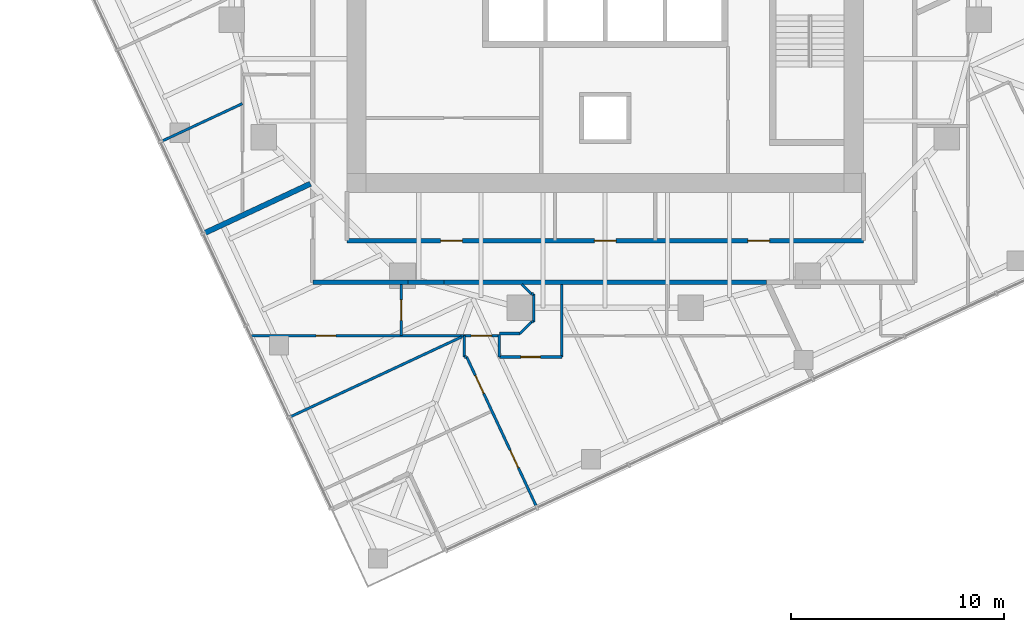
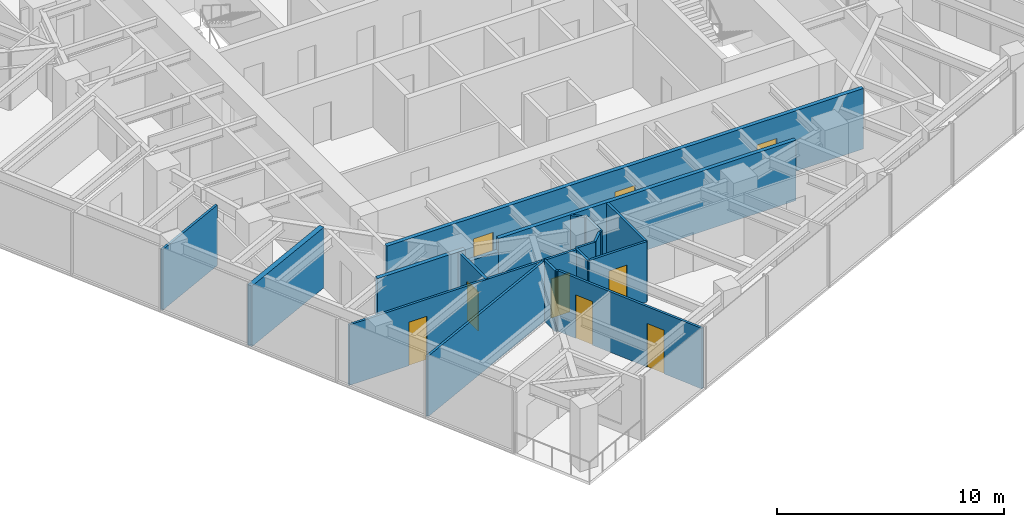
# One storey, part 7 of 13: 23 walls, 9 doors, 9 openings.
"""IFC4 building model written with IfcOpenShell, lengths in metres."""

from ifc_helpers import new_model, si_unit, direction, frame, frame_2d, origin, place, context, subcontext, project, spatial, rectangle, extrude, material, layer, layer_set, type_object, element, fill, save


model = new_model("IFC4")

# Units and contexts
model_context = context("Model", 3, precision=1e-05, world=origin(), true_north=direction((0.0, 1.0)))
body_context = subcontext(model_context, "Body", "Model", "MODEL_VIEW")
ifc_project = project(units=[si_unit("LENGTHUNIT", "METRE"), si_unit("AREAUNIT", "SQUARE_METRE"), si_unit("VOLUMEUNIT", "CUBIC_METRE"), si_unit("PLANEANGLEUNIT", "RADIAN"), si_unit("MASSUNIT", "GRAM", prefix="KILO")], contexts=[model_context])

# Site, building, storey
site_placement = place(None, origin())
site = spatial("IfcSite", under=ifc_project, at=site_placement, CompositionType="ELEMENT")
building_placement = place(site_placement, origin())
building = spatial("IfcBuilding", under=site, at=building_placement, Name="Torsade Residences", CompositionType="ELEMENT")
storey_placement = place(building_placement, frame((0.0, 0.0, 182.800048828125)))
storey = spatial("IfcBuildingStorey", under=building, at=storey_placement, Name="L50", CompositionType="ELEMENT", Elevation=182.800048828125)

# Walls
ifc_material_1 = material(Name="Plasterboard on steel stud", Category="steel")
ifc_layer_1 = layer(ifc_material_1, 0.199951171875)
ifc_layer_set_1 = layer_set([ifc_layer_1], Name="Plasterboard on steel stud")
wall_type_1 = type_object("IfcWallType", Name="CORRIDOR WALL 200", PredefinedType="PARTITIONING", material=ifc_layer_set_1)
wall_1_placement = place(storey_placement, frame((26.300048828125, 13.699951171875, 0.0), z_axis=(0.0, 0.0, 1.0), x_axis=(1.0, 0.0, 0.0)))
element("IfcWall", 1, at=wall_1_placement, inside=storey, type_object=wall_type_1, Name="Corridor wall L50", PredefinedType="PARTITIONING", context=body_context, shape_type="SweptSolid", body=[
    extrude(rectangle(XDim=4.458251953125, YDim=0.199951171875, at=frame_2d((2.22900390625, 0.0))), origin(), (0.0, 0.0, 1.0), 3.25),
])
wall_2_placement = place(storey_placement, frame((30.75830078125, 13.699951171875, 0.0), z_axis=(0.0, 0.0, 1.0), x_axis=(1.0, 0.0, 0.0)))
element("IfcWall", 2, at=wall_2_placement, inside=storey, type_object=wall_type_1, Name="Corridor wall L50", PredefinedType="PARTITIONING", context=body_context, shape_type="SweptSolid", body=[
    extrude(rectangle(XDim=1.683349609375, YDim=0.199951171875, at=frame_2d((0.841796875, 0.0))), origin(), (0.0, 0.0, 1.0), 2.550048828125),
])
wall_3_placement = place(storey_placement, frame((32.441650390625, 13.699951171875, 0.0), z_axis=(0.0, 0.0, 1.0), x_axis=(1.0, 0.0, 0.0)))
element("IfcWall", 3, at=wall_3_placement, inside=storey, type_object=wall_type_1, Name="Corridor wall L50", PredefinedType="PARTITIONING", context=body_context, shape_type="SweptSolid", body=[
    extrude(rectangle(XDim=15.11669921875, YDim=0.199951171875, at=frame_2d((7.558349609375, 0.0))), origin(), (0.0, 0.0, 1.0), 3.25),
])

# Wall, openings, doors
wall_4_placement = place(storey_placement, frame((27.89990234375, 15.64990234375, 0.0), z_axis=(0.0, 0.0, 1.0), x_axis=(1.0, 0.0, 0.0)))
wall_4 = element("IfcWall", 4, at=wall_4_placement, inside=storey, type_object=wall_type_1, Name="Corridor wall L50", PredefinedType="PARTITIONING", context=body_context, shape_type="SweptSolid", body=[
    extrude(rectangle(XDim=24.2001953125, YDim=0.199951171875, at=frame_2d((12.10009765625, 0.0))), origin(), (0.0, 0.0, 1.0), 3.25),
])
opening_1_placement = place(wall_4_placement, frame((4.391357421875, 0.0, 0.0)))
opening_1 = element("IfcOpeningElement", 5, at=opening_1_placement, cuts=wall_4, Name="Opening D03", PredefinedType="OPENING", context=body_context, shape_type="SweptSolid", body=[
    extrude(rectangle(XDim=1.02001953125, YDim=2.10009765625, at=frame_2d((0.510009765625, 1.050048828125))), frame((0.0, 0.10986328125, 0.0), z_axis=(0.0, -1.0, 0.0), x_axis=(1.0, 0.0, 0.0)), (0.0, 0.0, 1.0), 0.219970703125),
])
opening_2_placement = place(wall_4_placement, frame((18.788818359375, 0.0, 0.0)))
opening_2 = element("IfcOpeningElement", 6, at=opening_2_placement, cuts=wall_4, Name="Opening D03", PredefinedType="OPENING", context=body_context, shape_type="SweptSolid", body=[
    extrude(rectangle(XDim=1.02001953125, YDim=2.10009765625, at=frame_2d((0.510009765625, 1.050048828125))), frame((0.0, 0.10986328125, 0.0), z_axis=(0.0, -1.0, 0.0), x_axis=(1.0, 0.0, 0.0)), (0.0, 0.0, 1.0), 0.219970703125),
])
opening_3_placement = place(wall_4_placement, frame((11.590087890625, 0.0, 0.0)))
opening_3 = element("IfcOpeningElement", 7, at=opening_3_placement, cuts=wall_4, Name="Opening D03", PredefinedType="OPENING", context=body_context, shape_type="SweptSolid", body=[
    extrude(rectangle(XDim=1.02001953125, YDim=2.10009765625, at=frame_2d((0.510009765625, 1.050048828125))), frame((0.0, 0.10986328125, 0.0), z_axis=(0.0, -1.0, 0.0), x_axis=(1.0, 0.0, 0.0)), (0.0, 0.0, 1.0), 0.219970703125),
])
ifc_material_2 = material(Name="Steel-framed fire door", Category="steel")
door_type_1 = type_object("IfcDoorType", Name="FIRE DOOR 1020", OperationType="NOTDEFINED", PredefinedType="DOOR", material=ifc_material_2)
door_1_placement = place(opening_1_placement, origin())
door_1 = element("IfcDoor", 8, at=door_1_placement, inside=storey, type_object=door_type_1, Name="Door Residential corridor to Residents storage", OperationType="SINGLE_SWING_LEFT", OverallHeight=2.10009765625, OverallWidth=1.02001953125, PredefinedType="DOOR", context=body_context, shape_type="SweptSolid", body=[
    extrude(rectangle(XDim=1.02001953125, YDim=2.10009765625, at=frame_2d((0.510009765625, 1.050048828125))), frame((0.0, 0.02490234375, 0.0), z_axis=(0.0, -1.0, 0.0), x_axis=(1.0, 0.0, 0.0)), (0.0, 0.0, 1.0), 0.050048828125),
])
fill(opening_1, door_1)
door_2_placement = place(opening_2_placement, origin())
door_2 = element("IfcDoor", 9, at=door_2_placement, inside=storey, type_object=door_type_1, Name="Door Residential corridor to Parcel room", OperationType="SINGLE_SWING_RIGHT", OverallHeight=2.10009765625, OverallWidth=1.02001953125, PredefinedType="DOOR", context=body_context, shape_type="SweptSolid", body=[
    extrude(rectangle(XDim=1.02001953125, YDim=2.10009765625, at=frame_2d((0.510009765625, 1.050048828125))), frame((0.0, 0.02490234375, 0.0), z_axis=(0.0, -1.0, 0.0), x_axis=(1.0, 0.0, 0.0)), (0.0, 0.0, 1.0), 0.050048828125),
])
fill(opening_2, door_2)
door_3_placement = place(opening_3_placement, origin())
door_3 = element("IfcDoor", 10, at=door_3_placement, inside=storey, type_object=door_type_1, Name="Door Residential corridor to Cleaner store", OperationType="SINGLE_SWING_RIGHT", OverallHeight=2.10009765625, OverallWidth=1.02001953125, PredefinedType="DOOR", context=body_context, shape_type="SweptSolid", body=[
    extrude(rectangle(XDim=1.02001953125, YDim=2.10009765625, at=frame_2d((0.510009765625, 1.050048828125))), frame((0.0, 0.02490234375, 0.0), z_axis=(0.0, -1.0, 0.0), x_axis=(1.0, 0.0, 0.0)), (0.0, 0.0, 1.0), 0.050048828125),
])
fill(opening_3, door_3)

# Wall
ifc_material_3 = material(Name="Plasterboard on steel stud", Category="steel")
ifc_layer_2 = layer(ifc_material_3, 0.1201171875)
ifc_layer_set_2 = layer_set([ifc_layer_2], Name="Plasterboard on steel stud")
wall_type_2 = type_object("IfcWallType", Name="PARTITION 120", PredefinedType="PARTITIONING", material=ifc_layer_set_2)
wall_5_placement = place(storey_placement, frame((23.0, 22.07275390625, 0.0), z_axis=(0.0, 0.0, 1.0), x_axis=(-0.906304800396, -0.422624666552, 0.0)))
element("IfcWall", 11, at=wall_5_placement, inside=storey, type_object=wall_type_2, Name="Partition L50", PredefinedType="PARTITIONING", context=body_context, shape_type="SweptSolid", body=[
    extrude(rectangle(XDim=4.20263671875, YDim=0.1201171875, at=frame_2d((2.101318359375, 0.0))), origin(), (0.0, 0.0, 1.0), 3.25),
])

# Wall, opening, door
wall_6_placement = place(storey_placement, frame((30.449951171875, 13.60009765625, 0.0), z_axis=(0.0, 0.0, 1.0), x_axis=(0.0, -1.0, 0.0)))
wall_6 = element("IfcWall", 12, at=wall_6_placement, inside=storey, type_object=wall_type_2, Name="Partition L50", PredefinedType="PARTITIONING", context=body_context, shape_type="SweptSolid", body=[
    extrude(rectangle(XDim=2.400146484375, YDim=0.1201171875, at=frame_2d((1.2001953125, 0.0))), origin(), (0.0, 0.0, 1.0), 3.25),
])
opening_4_placement = place(wall_6_placement, frame((0.719970703125, 0.0, 0.0)))
opening_4 = element("IfcOpeningElement", 13, at=opening_4_placement, cuts=wall_6, Name="Opening D05", PredefinedType="OPENING", context=body_context, shape_type="SweptSolid", body=[
    extrude(rectangle(XDim=0.9599609375, YDim=2.10009765625, at=frame_2d((0.47998046875, 1.050048828125))), frame((0.0, 0.070068359375, 0.0), z_axis=(0.0, -1.0, 0.0), x_axis=(1.0, 0.0, 0.0)), (0.0, 0.0, 1.0), 0.14013671875),
])
ifc_material_4 = material(Name="Hollow-core timber door in a steel cavity frame", Category="steel")
door_type_2 = type_object("IfcDoorType", Name="BATHROOM CAVITY SLIDING DOOR 960", OperationType="SLIDING_TO_LEFT", PredefinedType="DOOR", material=ifc_material_4)
door_4_placement = place(opening_4_placement, origin())
door_4 = element("IfcDoor", 14, at=door_4_placement, inside=storey, type_object=door_type_2, Name="Door Kitchen and dining to Laundry", OperationType="SLIDING_TO_LEFT", OverallHeight=2.10009765625, OverallWidth=0.9599609375, PredefinedType="DOOR", context=body_context, shape_type="SweptSolid", body=[
    extrude(rectangle(XDim=0.9599609375, YDim=2.10009765625, at=frame_2d((0.47998046875, 1.050048828125))), frame((0.0, 0.02490234375, 0.0), z_axis=(0.0, -1.0, 0.0), x_axis=(1.0, 0.0, 0.0)), (0.0, 0.0, 1.0), 0.050048828125),
])
fill(opening_4, door_4)

wall_7_placement = place(storey_placement, frame((33.25, 11.199951171875, 0.0), z_axis=(0.0, 0.0, 1.0), x_axis=(-1.0, 0.0, 0.0)))
wall_7 = element("IfcWall", 15, at=wall_7_placement, inside=storey, type_object=wall_type_2, Name="Partition L50", PredefinedType="PARTITIONING", context=body_context, shape_type="SweptSolid", body=[
    extrude(rectangle(XDim=9.81689453125, YDim=0.1201171875, at=frame_2d((4.908447265625, 0.0))), origin(), (0.0, 0.0, 1.0), 3.25),
])
opening_5_placement = place(wall_7_placement, frame((5.87060546875, 0.0, 0.0)))
opening_5 = element("IfcOpeningElement", 16, at=opening_5_placement, cuts=wall_7, Name="Opening D02", PredefinedType="OPENING", context=body_context, shape_type="SweptSolid", body=[
    extrude(rectangle(XDim=0.919921875, YDim=2.340087890625, at=frame_2d((0.4599609375, 1.169921875))), frame((0.0, 0.070068359375, 0.0), z_axis=(0.0, -1.0, 0.0), x_axis=(1.0, 0.0, 0.0)), (0.0, 0.0, 1.0), 0.14013671875),
])
ifc_material_5 = material(Name="Hollow-core timber door", Category="wood")
door_type_3 = type_object("IfcDoorType", Name="INTERNAL DOOR 920x2340", OperationType="NOTDEFINED", PredefinedType="DOOR", material=ifc_material_5)
door_5_placement = place(opening_5_placement, origin())
door_5 = element("IfcDoor", 17, at=door_5_placement, inside=storey, type_object=door_type_3, Name="Door Kitchen and dining to Bedroom 3", OperationType="SINGLE_SWING_RIGHT", OverallHeight=2.340087890625, OverallWidth=0.919921875, PredefinedType="DOOR", context=body_context, shape_type="SweptSolid", body=[
    extrude(rectangle(XDim=0.919921875, YDim=2.340087890625, at=frame_2d((0.4599609375, 1.169921875))), frame((0.0, 0.02490234375, 0.0), z_axis=(0.0, -1.0, 0.0), x_axis=(1.0, 0.0, 0.0)), (0.0, 0.0, 1.0), 0.050048828125),
])
fill(opening_5, door_5)

# Walls
wall_8_placement = place(storey_placement, frame((37.973876953125, 10.199951171875, 0.0), z_axis=(0.0, 0.0, 1.0), x_axis=(0.0, 1.0, 0.0)))
element("IfcWall", 18, at=wall_8_placement, inside=storey, type_object=wall_type_2, Name="Partition L50", PredefinedType="PARTITIONING", context=body_context, shape_type="SweptSolid", body=[
    extrude(rectangle(XDim=3.400146484375, YDim=0.1201171875, at=frame_2d((1.7001953125, 0.0))), origin(), (0.0, 0.0, 1.0), 3.25),
])
wall_9_placement = place(storey_placement, frame((36.10009765625, 13.60009765625, 0.0), z_axis=(0.0, 0.0, 1.0), x_axis=(0.70691497141, -0.707298538947, 0.0)))
element("IfcWall", 19, at=wall_9_placement, inside=storey, type_object=wall_type_2, Name="Partition L50", PredefinedType="PARTITIONING", context=body_context, shape_type="SweptSolid", body=[
    extrude(rectangle(XDim=0.636474609375, YDim=0.1201171875, at=frame_2d((0.318359375, 0.0))), origin(), (0.0, 0.0, 1.0), 3.25),
])
wall_10_placement = place(storey_placement, frame((36.64990234375, 13.14990234375, 0.0), z_axis=(0.0, 0.0, 1.0), x_axis=(0.0, -1.0, 0.0)))
element("IfcWall", 20, at=wall_10_placement, inside=storey, type_object=wall_type_2, Name="Partition L50", PredefinedType="PARTITIONING", context=body_context, shape_type="SweptSolid", body=[
    extrude(rectangle(XDim=1.2998046875, YDim=0.1201171875, at=frame_2d((0.64990234375, 0.0))), origin(), (0.0, 0.0, 1.0), 3.25),
])
wall_11_placement = place(storey_placement, frame((36.550048828125, 11.85009765625, 0.0), z_axis=(0.0, 0.0, 1.0), x_axis=(-0.707106781187, -0.707106781187, 0.0)))
element("IfcWall", 21, at=wall_11_placement, inside=storey, type_object=wall_type_2, Name="Partition L50", PredefinedType="PARTITIONING", context=body_context, shape_type="SweptSolid", body=[
    extrude(rectangle(XDim=0.77783203125, YDim=0.1201171875, at=frame_2d((0.388916015625, 0.0))), origin(), (0.0, 0.0, 1.0), 3.25),
])
wall_12_placement = place(storey_placement, frame((36.0, 11.300048828125, 0.0), z_axis=(0.0, 0.0, 1.0), x_axis=(-1.0, 0.0, 0.0)))
element("IfcWall", 22, at=wall_12_placement, inside=storey, type_object=wall_type_2, Name="Partition L50", PredefinedType="PARTITIONING", context=body_context, shape_type="SweptSolid", body=[
    extrude(rectangle(XDim=0.958251953125, YDim=0.1201171875, at=frame_2d((0.47900390625, 0.0))), origin(), (0.0, 0.0, 1.0), 3.25),
])

# Wall, opening, door
wall_13_placement = place(storey_placement, frame((35.041748046875, 11.199951171875, 0.0), z_axis=(0.0, 0.0, 1.0), x_axis=(-1.0, 0.0, 0.0)))
wall_13 = element("IfcWall", 23, at=wall_13_placement, inside=storey, type_object=wall_type_2, Name="Partition L50", PredefinedType="PARTITIONING", context=body_context, shape_type="SweptSolid", body=[
    extrude(rectangle(XDim=1.68994140625, YDim=0.1201171875, at=frame_2d((0.844970703125, 0.0))), origin(), (0.0, 0.0, 1.0), 3.25),
])
opening_6_placement = place(wall_13_placement, frame((0.364990234375, 0.0, 0.0)))
opening_6 = element("IfcOpeningElement", 24, at=opening_6_placement, cuts=wall_13, Name="Opening D05", PredefinedType="OPENING", context=body_context, shape_type="SweptSolid", body=[
    extrude(rectangle(XDim=0.9599609375, YDim=2.10009765625, at=frame_2d((0.47998046875, 1.050048828125))), frame((0.0, 0.070068359375, 0.0), z_axis=(0.0, -1.0, 0.0), x_axis=(1.0, 0.0, 0.0)), (0.0, 0.0, 1.0), 0.14013671875),
])
door_6_placement = place(opening_6_placement, origin())
door_6 = element("IfcDoor", 25, at=door_6_placement, inside=storey, type_object=door_type_2, Name="Door Laundry to Living room", OperationType="SLIDING_TO_LEFT", OverallHeight=2.10009765625, OverallWidth=0.9599609375, PredefinedType="DOOR", context=body_context, shape_type="SweptSolid", body=[
    extrude(rectangle(XDim=0.9599609375, YDim=2.10009765625, at=frame_2d((0.47998046875, 1.050048828125))), frame((0.0, 0.02490234375, 0.0), z_axis=(0.0, -1.0, 0.0), x_axis=(1.0, 0.0, 0.0)), (0.0, 0.0, 1.0), 0.050048828125),
])
fill(opening_6, door_6)

wall_14_placement = place(storey_placement, frame((37.973876953125, 10.199951171875, 0.0), z_axis=(0.0, 0.0, 1.0), x_axis=(-1.0, 0.0, 0.0)))
wall_14 = element("IfcWall", 26, at=wall_14_placement, inside=storey, type_object=wall_type_2, Name="Partition L50", PredefinedType="PARTITIONING", context=body_context, shape_type="SweptSolid", body=[
    extrude(rectangle(XDim=2.93212890625, YDim=0.1201171875, at=frame_2d((1.466064453125, 0.0))), origin(), (0.0, 0.0, 1.0), 3.25),
])
opening_7_placement = place(wall_14_placement, frame((1.006103515625, 0.0, 0.0)))
opening_7 = element("IfcOpeningElement", 27, at=opening_7_placement, cuts=wall_14, Name="Opening D02", PredefinedType="OPENING", context=body_context, shape_type="SweptSolid", body=[
    extrude(rectangle(XDim=0.919921875, YDim=2.340087890625, at=frame_2d((0.4599609375, 1.169921875))), frame((0.0, 0.070068359375, 0.0), z_axis=(0.0, -1.0, 0.0), x_axis=(1.0, 0.0, 0.0)), (0.0, 0.0, 1.0), 0.14013671875),
])
door_7_placement = place(opening_7_placement, origin())
door_7 = element("IfcDoor", 28, at=door_7_placement, inside=storey, type_object=door_type_3, Name="Door Living room to Study", OperationType="SINGLE_SWING_RIGHT", OverallHeight=2.340087890625, OverallWidth=0.919921875, PredefinedType="DOOR", context=body_context, shape_type="SweptSolid", body=[
    extrude(rectangle(XDim=0.919921875, YDim=2.340087890625, at=frame_2d((0.4599609375, 1.169921875))), frame((0.0, 0.02490234375, 0.0), z_axis=(0.0, -1.0, 0.0), x_axis=(1.0, 0.0, 0.0)), (0.0, 0.0, 1.0), 0.050048828125),
])
fill(opening_7, door_7)

# Wall
wall_15_placement = place(storey_placement, frame((35.041748046875, 10.199951171875, 0.0), z_axis=(0.0, 0.0, 1.0), x_axis=(0.0, 1.0, 0.0)))
element("IfcWall", 29, at=wall_15_placement, inside=storey, type_object=wall_type_2, Name="Partition L50", PredefinedType="PARTITIONING", context=body_context, shape_type="SweptSolid", body=[
    extrude(rectangle(XDim=1.050048828125, YDim=0.1201171875, at=frame_2d((0.52490234375, 0.0))), origin(), (0.0, 0.0, 1.0), 3.25),
])

# Wall, openings, doors
wall_16_placement = place(storey_placement, frame((36.78857421875, 3.1689453125, 0.0), z_axis=(0.0, 0.0, 1.0), x_axis=(-0.422639089597, 0.906298074557, 0.0)))
wall_16 = element("IfcWall", 30, at=wall_16_placement, inside=storey, type_object=wall_type_2, Name="Partition L50", PredefinedType="PARTITIONING", context=body_context, shape_type="SweptSolid", body=[
    extrude(rectangle(XDim=7.758056640625, YDim=0.1201171875, at=frame_2d((3.87890625, 0.0))), origin(), (0.0, 0.0, 1.0), 3.25),
])
opening_8_placement = place(wall_16_placement, frame((2.026123046875, 0.0, 0.0)))
opening_8 = element("IfcOpeningElement", 31, at=opening_8_placement, cuts=wall_16, Name="Opening D02", PredefinedType="OPENING", context=body_context, shape_type="SweptSolid", body=[
    extrude(rectangle(XDim=0.919921875, YDim=2.340087890625, at=frame_2d((0.4599609375, 1.169921875))), frame((0.0, 0.070068359375, 0.0), z_axis=(0.0, -1.0, 0.0), x_axis=(1.0, 0.0, 0.0)), (0.0, 0.0, 1.0), 0.14013671875),
])
opening_9_placement = place(wall_16_placement, frame((5.875244140625, 0.0, 0.0)))
opening_9 = element("IfcOpeningElement", 32, at=opening_9_placement, cuts=wall_16, Name="Opening D02", PredefinedType="OPENING", context=body_context, shape_type="SweptSolid", body=[
    extrude(rectangle(XDim=0.919921875, YDim=2.340087890625, at=frame_2d((0.4599609375, 1.169921875))), frame((0.0, 0.070068359375, 0.0), z_axis=(0.0, -1.0, 0.0), x_axis=(1.0, 0.0, 0.0)), (0.0, 0.0, 1.0), 0.14013671875),
])
door_8_placement = place(opening_8_placement, origin())
door_8 = element("IfcDoor", 33, at=door_8_placement, inside=storey, type_object=door_type_3, Name="Door Living room to Bedroom 2", OperationType="SINGLE_SWING_RIGHT", OverallHeight=2.340087890625, OverallWidth=0.919921875, PredefinedType="DOOR", context=body_context, shape_type="SweptSolid", body=[
    extrude(rectangle(XDim=0.919921875, YDim=2.340087890625, at=frame_2d((0.4599609375, 1.169921875))), frame((0.0, 0.02490234375, 0.0), z_axis=(0.0, -1.0, 0.0), x_axis=(1.0, 0.0, 0.0)), (0.0, 0.0, 1.0), 0.050048828125),
])
fill(opening_8, door_8)
door_9_placement = place(opening_9_placement, origin())
door_9 = element("IfcDoor", 34, at=door_9_placement, inside=storey, type_object=door_type_3, Name="Door Living room to Bedroom 1", OperationType="SINGLE_SWING_LEFT", OverallHeight=2.340087890625, OverallWidth=0.919921875, PredefinedType="DOOR", context=body_context, shape_type="SweptSolid", body=[
    extrude(rectangle(XDim=0.919921875, YDim=2.340087890625, at=frame_2d((0.4599609375, 1.169921875))), frame((0.0, 0.02490234375, 0.0), z_axis=(0.0, -1.0, 0.0), x_axis=(1.0, 0.0, 0.0)), (0.0, 0.0, 1.0), 0.050048828125),
])
fill(opening_9, door_9)

# Walls
wall_17_placement = place(storey_placement, frame((33.401611328125, 10.199951171875, 0.0), z_axis=(0.0, 0.0, 1.0), x_axis=(0.0, 1.0, 0.0)))
element("IfcWall", 35, at=wall_17_placement, inside=storey, type_object=wall_type_2, Name="Partition L50", PredefinedType="PARTITIONING", context=body_context, shape_type="SweptSolid", body=[
    extrude(rectangle(XDim=1.0, YDim=0.1201171875, at=frame_2d((0.5, 0.0))), origin(), (0.0, 0.0, 1.0), 3.25),
])
wall_18_placement = place(storey_placement, frame((25.21337890625, 7.3818359375, 0.0), z_axis=(0.0, 0.0, 1.0), x_axis=(0.906310464333, 0.422612520212, 0.0)))
element("IfcWall", 36, at=wall_18_placement, inside=storey, type_object=wall_type_2, Name="Partition L50", PredefinedType="PARTITIONING", context=body_context, shape_type="SweptSolid", body=[
    extrude(rectangle(XDim=8.91259765625, YDim=0.1201171875, at=frame_2d((4.456298828125, 0.0))), origin(), (0.0, 0.0, 1.0), 3.25),
])
wall_19_placement = place(storey_placement, frame((33.25, 11.199951171875, 0.0), z_axis=(0.0, 0.0, 1.0), x_axis=(1.0, 0.0, 0.0)))
element("IfcWall", 37, at=wall_19_placement, inside=storey, type_object=wall_type_2, Name="Partition L50", PredefinedType="PARTITIONING", context=body_context, shape_type="SweptSolid", body=[
    extrude(rectangle(XDim=0.101806640625, YDim=0.1201171875, at=frame_2d((0.05078125, 0.0))), origin(), (0.0, 0.0, 1.0), 3.25),
])
for number, where, z_axis, x_axis, name in (
    (38, (36.64990234375, 13.14990234375, 0.0), (0.0, 0.0, 1.0), (-1.0, 0.0, 0.0), "Partition L50"),
    (39, (36.64990234375, 11.85009765625, 0.0), (0.0, 0.0, 1.0), (-1.0, 0.0, 0.0), "Partition L50"),
):
    element("IfcWall", number, at=place(storey_placement, frame(where, z_axis=z_axis, x_axis=x_axis)), inside=storey, type_object=wall_type_2, Name=name, PredefinedType="PARTITIONING", context=body_context, shape_type="SweptSolid", body=[
        extrude(rectangle(XDim=0.099853515625, YDim=0.1201171875, at=frame_2d((0.0498046875, 0.0))), origin(), (0.0, 0.0, 1.0), 3.25),
    ])
wall_20_placement = place(storey_placement, frame((33.401611328125, 10.199951171875, 0.0), z_axis=(0.0, 0.0, 1.0), x_axis=(1.0, 0.0, 0.0)))
element("IfcWall", 40, at=wall_20_placement, inside=storey, type_object=wall_type_2, Name="Partition L50", PredefinedType="PARTITIONING", context=body_context, shape_type="SweptSolid", body=[
    extrude(rectangle(XDim=0.108154296875, YDim=0.1201171875, at=frame_2d((0.05419921875, 0.0))), origin(), (0.0, 0.0, 1.0), 3.25),
])
ifc_material_6 = material(Name="Masonry-lined stud party wall", Category="masonry")
ifc_layer_3 = layer(ifc_material_6, 0.25)
ifc_layer_set_3 = layer_set([ifc_layer_3], Name="Masonry-lined stud party wall")
wall_type_3 = type_object("IfcWallType", Name="PARTY WALL 250", PredefinedType="PARTITIONING", material=ifc_layer_set_3)
wall_21_placement = place(storey_placement, frame((21.162353515625, 15.974853515625, 0.0), z_axis=(0.0, 0.0, 1.0), x_axis=(0.906309193024, 0.422615246577, 0.0)))
element("IfcWall", 41, at=wall_21_placement, inside=storey, type_object=wall_type_3, Name="Party wall L50", PredefinedType="PARTITIONING", context=body_context, shape_type="SweptSolid", body=[
    extrude(rectangle(XDim=5.5400390625, YDim=0.25, at=frame_2d((2.77001953125, 0.0))), origin(), (0.0, 0.0, 1.0), 3.25),
])

save(model, "model.ifc")
